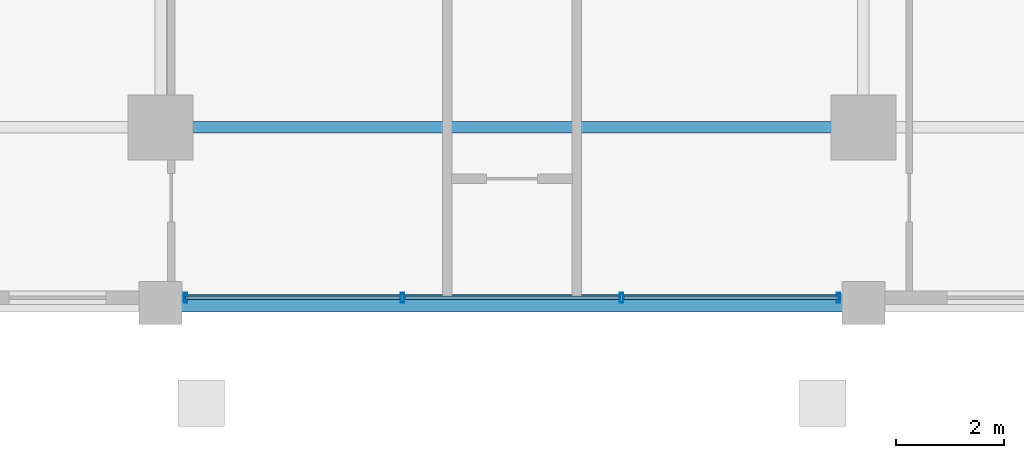
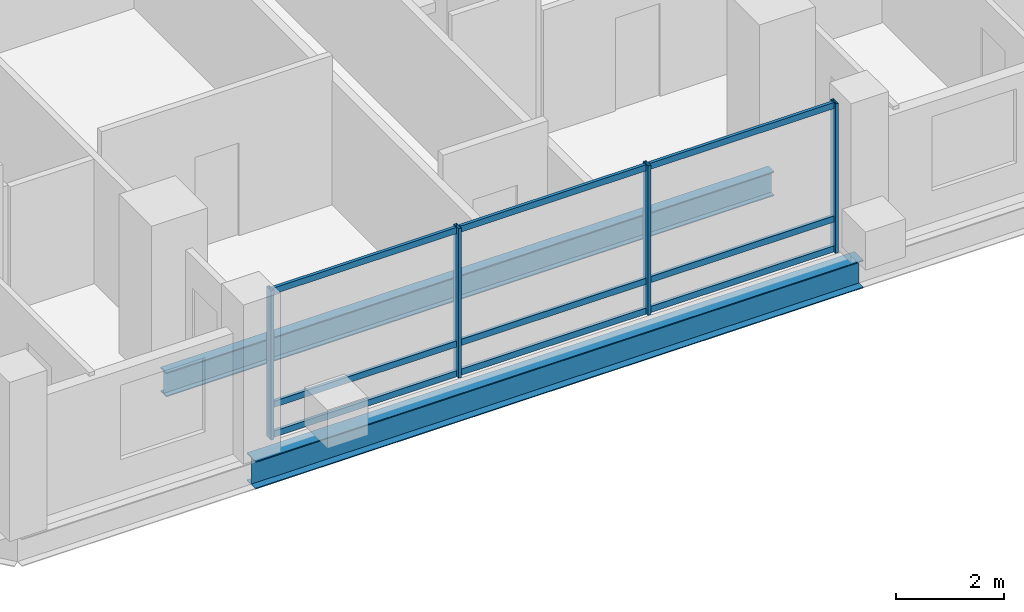
# One storey, part 2 of 20: 13 members, 2 beams, 1 element without a shape of its own.
"""IFC4 building model written with IfcOpenShell, lengths in metres."""

from ifc_helpers import new_model, si_unit, direction, frame, origin, origin_2d, place, context, subcontext, project, spatial, hollow_rectangle, i_section, extrude, material, layer, layer_set, material_profile, profile_set, type_object, element, aggregate, save


model = new_model("IFC4")

# Units and contexts
model_context = context("Model", 3, precision=1e-05, world=origin(), true_north=direction((0.0, 1.0)))
body_context = subcontext(model_context, "Body", "Model", "MODEL_VIEW")
ifc_project = project(units=[si_unit("LENGTHUNIT", "METRE"), si_unit("AREAUNIT", "SQUARE_METRE"), si_unit("VOLUMEUNIT", "CUBIC_METRE"), si_unit("PLANEANGLEUNIT", "RADIAN"), si_unit("MASSUNIT", "GRAM", prefix="KILO")], contexts=[model_context])

# Site, building, storey
site_placement = place(None, origin())
site = spatial("IfcSite", under=ifc_project, at=site_placement, CompositionType="ELEMENT")
building_placement = place(site_placement, origin())
building = spatial("IfcBuilding", under=site, at=building_placement, Name="Barlavira Tower and Art Museum", CompositionType="ELEMENT")
storey_placement = place(building_placement, frame((0.0, 0.0, 136.800048828125)))
storey = spatial("IfcBuildingStorey", under=building, at=storey_placement, Name="L34", CompositionType="ELEMENT", Elevation=136.800048828125)

# Curtain wall, members
ifc_material_1 = material(Name="Low-iron coastal laminated glass", Category="glass")
ifc_layer = layer(ifc_material_1, 0.18994140625, Name="Low-iron coastal laminated glass")
ifc_layer_set = layer_set([ifc_layer], Name="Low-iron coastal laminated glass")
curtain_wall_type = type_object("IfcCurtainWallType", Name="Pale-Metal Unitised Curtain Wall Zone 2", PredefinedType="NOTDEFINED", material=ifc_layer_set)
curtain_wall_placement = place(storey_placement, origin())
curtain_wall = element("IfcCurtainWall", 1, at=curtain_wall_placement, inside=storey, type_object=curtain_wall_type, Name="L34 Curtain Wall CW2-L34-S-B3", PredefinedType="NOTDEFINED")
ifc_material_2 = material(Name="Pale anodised aluminium", Category="aluminium")
ifc_material_profile_1 = material_profile(ifc_material_2, hollow_rectangle(XDim=0.06494140625, YDim=0.179931640625, WallThickness=0.00390625, at=origin_2d()), Name="ALU-MULL 65x180x4")
ifc_profile_set_1 = profile_set([ifc_material_profile_1], Name="Pale anodised aluminium")
member_type_1 = type_object("IfcMemberType", Name="Curtain Wall Pale-Metal Mullion 65x180", PredefinedType="MULLION", material=ifc_profile_set_1)
member_1_placement = place(storey_placement, frame((-6.034912109375, -23.14990234375, 0.0), z_axis=(0.0, 0.0, 1.0), x_axis=(1.0, 0.0, 0.0)))
member_1 = element("IfcMember", 2, at=member_1_placement, type_object=member_type_1, Name="CW2-L34-S-B3 Mullion 0", PredefinedType="MULLION", context=body_context, shape_type="SweptSolid", body=[
    extrude(hollow_rectangle(XDim=0.06494140625, YDim=0.179931640625, WallThickness=0.00390625, at=origin_2d()), origin(), (0.0, 0.0, 1.0), 3.3798828125),
])
member_2_placement = place(storey_placement, frame((-2.026611328125, -23.14990234375, 0.0), z_axis=(0.0, 0.0, 1.0), x_axis=(1.0, 0.0, 0.0)))
member_2 = element("IfcMember", 3, at=member_2_placement, type_object=member_type_1, Name="CW2-L34-S-B3 Mullion 1", PredefinedType="MULLION", context=body_context, shape_type="SweptSolid", body=[
    extrude(hollow_rectangle(XDim=0.06494140625, YDim=0.179931640625, WallThickness=0.00390625, at=origin_2d()), origin(), (0.0, 0.0, 1.0), 3.3798828125),
])
member_3_placement = place(storey_placement, frame((2.026611328125, -23.14990234375, 0.0), z_axis=(0.0, 0.0, 1.0), x_axis=(1.0, 0.0, 0.0)))
member_3 = element("IfcMember", 4, at=member_3_placement, type_object=member_type_1, Name="CW2-L34-S-B3 Mullion 2", PredefinedType="MULLION", context=body_context, shape_type="SweptSolid", body=[
    extrude(hollow_rectangle(XDim=0.06494140625, YDim=0.179931640625, WallThickness=0.00390625, at=origin_2d()), origin(), (0.0, 0.0, 1.0), 3.3798828125),
])
member_4_placement = place(storey_placement, frame((6.034912109375, -23.14990234375, 0.0), z_axis=(0.0, 0.0, 1.0), x_axis=(1.0, 0.0, 0.0)))
member_4 = element("IfcMember", 5, at=member_4_placement, type_object=member_type_1, Name="CW2-L34-S-B3 Mullion 3", PredefinedType="MULLION", context=body_context, shape_type="SweptSolid", body=[
    extrude(hollow_rectangle(XDim=0.06494140625, YDim=0.179931640625, WallThickness=0.00390625, at=origin_2d()), origin(), (0.0, 0.0, 1.0), 3.3798828125),
])
ifc_material_profile_2 = material_profile(ifc_material_2, hollow_rectangle(XDim=0.06494140625, YDim=0.139892578125, WallThickness=0.00390625, at=origin_2d()), Name="ALU-TRAN 65x140x4")
ifc_profile_set_2 = profile_set([ifc_material_profile_2], Name="Pale anodised aluminium")
member_type_2 = type_object("IfcMemberType", Name="Curtain Wall Pale-Metal Transom 65x140", PredefinedType="USERDEFINED", material=ifc_profile_set_2)
member_5_placement = place(storey_placement, frame((-6.034912109375, -23.14990234375, 0.070068359375), z_axis=(1.0, 0.0, 0.0), x_axis=(0.0, 1.0, 0.0)))
member_5 = element("IfcMember", 6, at=member_5_placement, type_object=member_type_2, Name="CW2-L34-S-B3 Transom 0.1", ObjectType="TRANSOM", PredefinedType="USERDEFINED", context=body_context, shape_type="SweptSolid", body=[
    extrude(hollow_rectangle(XDim=0.06494140625, YDim=0.139892578125, WallThickness=0.00390625, at=origin_2d()), origin(), (0.0, 0.0, 1.0), 3.963134765625),
])
member_6_placement = place(storey_placement, frame((-6.034912109375, -23.14990234375, 0.743896484375), z_axis=(1.0, 0.0, 0.0), x_axis=(0.0, 1.0, 0.0)))
member_6 = element("IfcMember", 7, at=member_6_placement, type_object=member_type_2, Name="CW2-L34-S-B3 Transom 0.2", ObjectType="TRANSOM", PredefinedType="USERDEFINED", context=body_context, shape_type="SweptSolid", body=[
    extrude(hollow_rectangle(XDim=0.06494140625, YDim=0.139892578125, WallThickness=0.00390625, at=origin_2d()), origin(), (0.0, 0.0, 1.0), 3.963134765625),
])
member_7_placement = place(storey_placement, frame((-6.034912109375, -23.14990234375, 3.31005859375), z_axis=(1.0, 0.0, 0.0), x_axis=(0.0, 1.0, 0.0)))
member_7 = element("IfcMember", 8, at=member_7_placement, type_object=member_type_2, Name="CW2-L34-S-B3 Transom 0.3", ObjectType="TRANSOM", PredefinedType="USERDEFINED", context=body_context, shape_type="SweptSolid", body=[
    extrude(hollow_rectangle(XDim=0.06494140625, YDim=0.139892578125, WallThickness=0.00390625, at=origin_2d()), origin(), (0.0, 0.0, 1.0), 3.963134765625),
])
member_8_placement = place(storey_placement, frame((-1.981689453125, -23.14990234375, 0.070068359375), z_axis=(1.0, 0.0, 0.0), x_axis=(0.0, 1.0, 0.0)))
member_8 = element("IfcMember", 9, at=member_8_placement, type_object=member_type_2, Name="CW2-L34-S-B3 Transom 1.1", ObjectType="TRANSOM", PredefinedType="USERDEFINED", context=body_context, shape_type="SweptSolid", body=[
    extrude(hollow_rectangle(XDim=0.06494140625, YDim=0.139892578125, WallThickness=0.00390625, at=origin_2d()), origin(), (0.0, 0.0, 1.0), 3.96337890625),
])
member_9_placement = place(storey_placement, frame((-1.981689453125, -23.14990234375, 0.743896484375), z_axis=(1.0, 0.0, 0.0), x_axis=(0.0, 1.0, 0.0)))
member_9 = element("IfcMember", 10, at=member_9_placement, type_object=member_type_2, Name="CW2-L34-S-B3 Transom 1.2", ObjectType="TRANSOM", PredefinedType="USERDEFINED", context=body_context, shape_type="SweptSolid", body=[
    extrude(hollow_rectangle(XDim=0.06494140625, YDim=0.139892578125, WallThickness=0.00390625, at=origin_2d()), origin(), (0.0, 0.0, 1.0), 3.96337890625),
])
member_10_placement = place(storey_placement, frame((-1.981689453125, -23.14990234375, 3.31005859375), z_axis=(1.0, 0.0, 0.0), x_axis=(0.0, 1.0, 0.0)))
member_10 = element("IfcMember", 11, at=member_10_placement, type_object=member_type_2, Name="CW2-L34-S-B3 Transom 1.3", ObjectType="TRANSOM", PredefinedType="USERDEFINED", context=body_context, shape_type="SweptSolid", body=[
    extrude(hollow_rectangle(XDim=0.06494140625, YDim=0.139892578125, WallThickness=0.00390625, at=origin_2d()), origin(), (0.0, 0.0, 1.0), 3.96337890625),
])
member_11_placement = place(storey_placement, frame((2.07177734375, -23.14990234375, 0.070068359375), z_axis=(1.0, 0.0, 0.0), x_axis=(0.0, 1.0, 0.0)))
member_11 = element("IfcMember", 12, at=member_11_placement, type_object=member_type_2, Name="CW2-L34-S-B3 Transom 2.1", ObjectType="TRANSOM", PredefinedType="USERDEFINED", context=body_context, shape_type="SweptSolid", body=[
    extrude(hollow_rectangle(XDim=0.06494140625, YDim=0.139892578125, WallThickness=0.00390625, at=origin_2d()), origin(), (0.0, 0.0, 1.0), 3.963134765625),
])
member_12_placement = place(storey_placement, frame((2.07177734375, -23.14990234375, 0.743896484375), z_axis=(1.0, 0.0, 0.0), x_axis=(0.0, 1.0, 0.0)))
member_12 = element("IfcMember", 13, at=member_12_placement, type_object=member_type_2, Name="CW2-L34-S-B3 Transom 2.2", ObjectType="TRANSOM", PredefinedType="USERDEFINED", context=body_context, shape_type="SweptSolid", body=[
    extrude(hollow_rectangle(XDim=0.06494140625, YDim=0.139892578125, WallThickness=0.00390625, at=origin_2d()), origin(), (0.0, 0.0, 1.0), 3.963134765625),
])
member_13_placement = place(storey_placement, frame((2.07177734375, -23.14990234375, 3.31005859375), z_axis=(1.0, 0.0, 0.0), x_axis=(0.0, 1.0, 0.0)))
member_13 = element("IfcMember", 14, at=member_13_placement, type_object=member_type_2, Name="CW2-L34-S-B3 Transom 2.3", ObjectType="TRANSOM", PredefinedType="USERDEFINED", context=body_context, shape_type="SweptSolid", body=[
    extrude(hollow_rectangle(XDim=0.06494140625, YDim=0.139892578125, WallThickness=0.00390625, at=origin_2d()), origin(), (0.0, 0.0, 1.0), 3.963134765625),
])
aggregate(curtain_wall, [member_1, member_2, member_3, member_4, member_5, member_6, member_7, member_8, member_9, member_10, member_11, member_12, member_13])

# Beams
ifc_material_3 = material(Name="Steel S355", Category="steel")
ifc_material_profile_3 = material_profile(ifc_material_3, i_section(OverallWidth=0.327880859375, OverallDepth=0.62890625, WebThickness=0.013916015625, FlangeThickness=0.021484375, at=origin_2d()), Name="W610x174.0")
ifc_profile_set_3 = profile_set([ifc_material_profile_3], Name="Steel S355")
beam_type_1 = type_object("IfcBeamType", Name="Perimeter Spandrel Edge Beam W610x174 Steel S355", PredefinedType="SPANDREL", material=ifc_profile_set_3)
beam_1_placement = place(storey_placement, frame((-6.5, -23.25, -0.53466796875), z_axis=(1.0, 0.0, 0.0), x_axis=(0.0, 1.0, 0.0)))
element("IfcBeam", 15, at=beam_1_placement, inside=storey, type_object=beam_type_1, Name="L34 Spandrel 2", PredefinedType="SPANDREL", context=body_context, shape_type="SweptSolid", body=[
    extrude(i_section(OverallWidth=0.327880859375, OverallDepth=0.62890625, WebThickness=0.013916015625, FlangeThickness=0.021484375, at=origin_2d()), origin(), (0.0, 0.0, 1.0), 13.0),
])
ifc_material_profile_4 = material_profile(ifc_material_3, i_section(OverallWidth=0.214111328125, OverallDepth=0.549072265625, WebThickness=0.0146484375, FlangeThickness=0.023681640625, at=origin_2d()), Name="W530x138.0")
ifc_profile_set_4 = profile_set([ifc_material_profile_4], Name="Steel S355")
beam_type_2 = type_object("IfcBeamType", Name="Zone 1 Primary Floor Girder W530x138 Steel S355", PredefinedType="BEAM", material=ifc_profile_set_4)
beam_2_placement = place(storey_placement, frame((-6.5, -20.0, -0.49462890625), z_axis=(1.0, 0.0, 0.0), x_axis=(0.0, 1.0, 0.0)))
element("IfcBeam", 16, at=beam_2_placement, inside=storey, type_object=beam_type_2, Name="L34 Girder M-S2", PredefinedType="BEAM", context=body_context, shape_type="SweptSolid", body=[
    extrude(i_section(OverallWidth=0.214111328125, OverallDepth=0.549072265625, WebThickness=0.0146484375, FlangeThickness=0.023681640625, at=origin_2d()), origin(), (0.0, 0.0, 1.0), 13.0),
])

save(model, "model.ifc")
